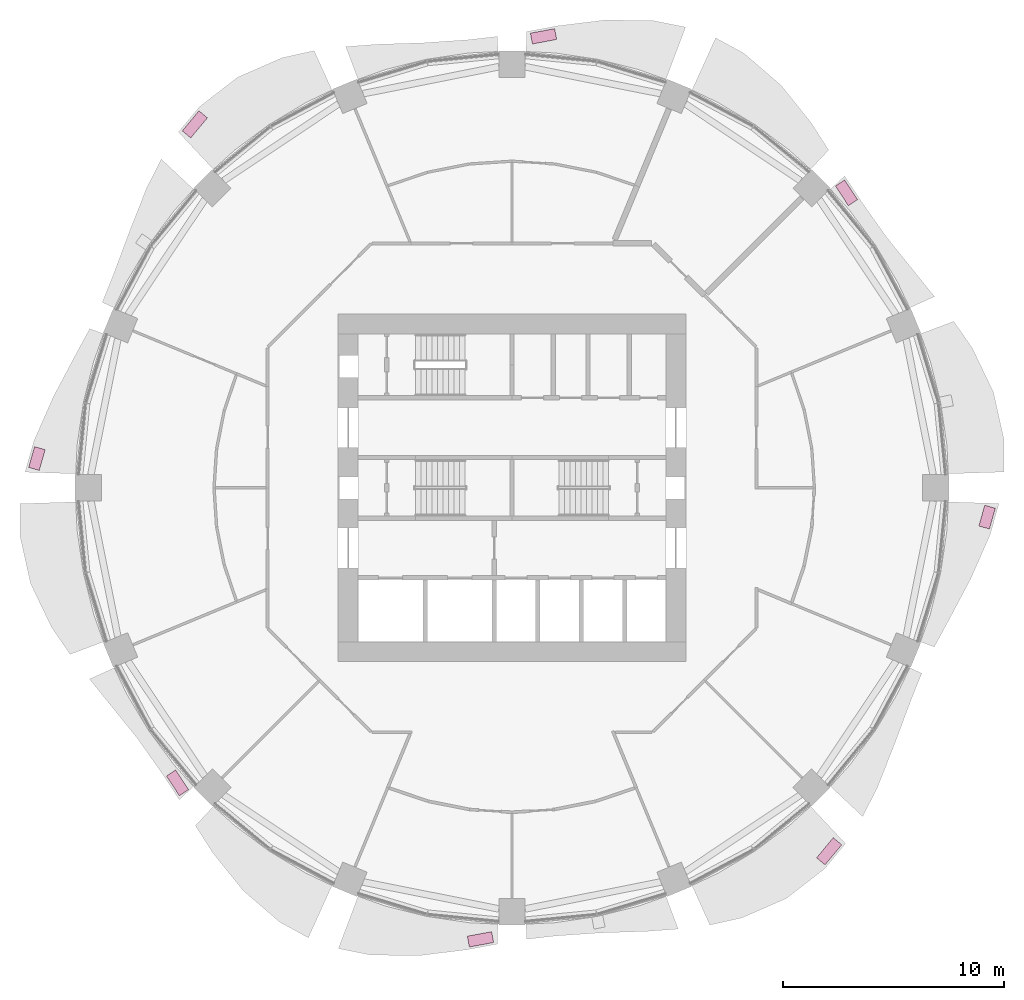
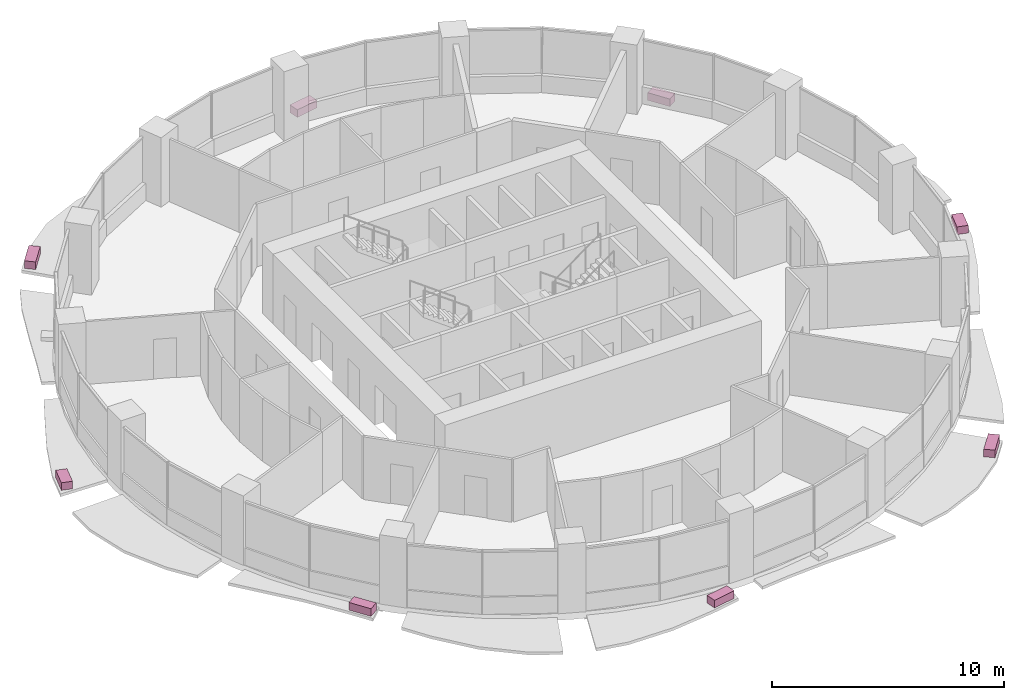
# One storey, part 15 of 15: 8 furniture elements.
"""IFC4 building model written with IfcOpenShell, lengths in metres."""

from ifc_helpers import new_model, si_unit, direction, frame, origin, origin_2d, place, context, subcontext, project, spatial, rectangle, extrude, material, type_object, element, save


model = new_model("IFC4")

# Units and contexts
model_context = context("Model", 3, precision=1e-05, world=origin(), true_north=direction((0.0, 1.0)))
body_context = subcontext(model_context, "Body", "Model", "MODEL_VIEW")
ifc_project = project(units=[si_unit("LENGTHUNIT", "METRE"), si_unit("AREAUNIT", "SQUARE_METRE"), si_unit("VOLUMEUNIT", "CUBIC_METRE"), si_unit("PLANEANGLEUNIT", "RADIAN"), si_unit("MASSUNIT", "GRAM", prefix="KILO")], contexts=[model_context])

# Site, building, storey
site_placement = place(None, origin())
site = spatial("IfcSite", under=ifc_project, at=site_placement, CompositionType="ELEMENT")
building_placement = place(site_placement, origin())
building = spatial("IfcBuilding", under=site, at=building_placement, Name="Polderwave Tower", CompositionType="ELEMENT")
storey_placement = place(building_placement, frame((0.0, 0.0, 29.85009765625)))
storey = spatial("IfcBuildingStorey", under=building, at=storey_placement, Name="L07", CompositionType="ELEMENT", Elevation=29.85009765625)

# Furniture
ifc_material = material(Name="Terracotta", Category="masonry")
furniture_type = type_object("IfcFurnitureType", Name="Terracotta planting trough", AssemblyPlace="NOTDEFINED", PredefinedType="USERDEFINED", material=ifc_material)
furniture_1_placement = place(storey_placement, frame((15.155517578125, 13.36669921875, -0.199951171875), z_axis=(0.0, 0.0, 1.0), x_axis=(-0.547666909764, 0.836696453889, 0.0)))
element("IfcFurniture", 1, at=furniture_1_placement, inside=storey, type_object=furniture_type, Name="Planting trough L07 2", ObjectType="PLANTER", PredefinedType="USERDEFINED", context=body_context, shape_type="SweptSolid", body=[
    extrude(rectangle(XDim=1.069091796875, YDim=0.5, at=origin_2d()), origin(), (0.0, 0.0, 1.0), 0.39990234375),
])
furniture_2_placement = place(storey_placement, frame((1.4287109375, 20.4580078125, -0.199951171875), z_axis=(0.0, 0.0, 1.0), x_axis=(-0.982970326431, -0.183764352791, 0.0)))
element("IfcFurniture", 2, at=furniture_2_placement, inside=storey, type_object=furniture_type, Name="Planting trough L07 4", ObjectType="PLANTER", PredefinedType="USERDEFINED", context=body_context, shape_type="SweptSolid", body=[
    extrude(rectangle(XDim=1.118896484375, YDim=0.5, at=origin_2d()), origin(), (0.0, 0.0, 1.0), 0.39990234375),
])
furniture_3_placement = place(storey_placement, frame((-14.3701171875, 16.467529296875, -0.199951171875), z_axis=(0.0, 0.0, 1.0), x_axis=(-0.63820902129, -0.769863134034, 0.0)))
element("IfcFurniture", 3, at=furniture_3_placement, inside=storey, type_object=furniture_type, Name="Planting trough L07 6", ObjectType="PLANTER", PredefinedType="USERDEFINED", context=body_context, shape_type="SweptSolid", body=[
    extrude(rectangle(XDim=1.182861328125, YDim=0.5, at=origin_2d()), origin(), (0.0, 0.0, 1.0), 0.39990234375),
])
furniture_4_placement = place(storey_placement, frame((-21.526123046875, 1.327392578125, -0.199951171875), z_axis=(0.0, 0.0, 1.0), x_axis=(-0.272419633322, -0.962178540283, 0.0)))
element("IfcFurniture", 4, at=furniture_4_placement, inside=storey, type_object=furniture_type, Name="Planting trough L07 8", ObjectType="PLANTER", PredefinedType="USERDEFINED", context=body_context, shape_type="SweptSolid", body=[
    extrude(rectangle(XDim=0.9775390625, YDim=0.5, at=origin_2d()), origin(), (0.0, 0.0, 1.0), 0.39990234375),
])
furniture_5_placement = place(storey_placement, frame((-15.155517578125, -13.36669921875, -0.199951171875), z_axis=(0.0, 0.0, 1.0), x_axis=(0.547666909764, -0.836696453889, 0.0)))
element("IfcFurniture", 5, at=furniture_5_placement, inside=storey, type_object=furniture_type, Name="Planting trough L07 10", ObjectType="PLANTER", PredefinedType="USERDEFINED", context=body_context, shape_type="SweptSolid", body=[
    extrude(rectangle(XDim=1.069091796875, YDim=0.5, at=origin_2d()), origin(), (0.0, 0.0, 1.0), 0.39990234375),
])
furniture_6_placement = place(storey_placement, frame((-1.4287109375, -20.4580078125, -0.199951171875), z_axis=(0.0, 0.0, 1.0), x_axis=(0.982970326431, 0.183764352791, 0.0)))
element("IfcFurniture", 6, at=furniture_6_placement, inside=storey, type_object=furniture_type, Name="Planting trough L07 12", ObjectType="PLANTER", PredefinedType="USERDEFINED", context=body_context, shape_type="SweptSolid", body=[
    extrude(rectangle(XDim=1.118896484375, YDim=0.5, at=origin_2d()), origin(), (0.0, 0.0, 1.0), 0.39990234375),
])
furniture_7_placement = place(storey_placement, frame((14.3701171875, -16.467529296875, -0.199951171875), z_axis=(0.0, 0.0, 1.0), x_axis=(0.63820902129, 0.769863134034, 0.0)))
element("IfcFurniture", 7, at=furniture_7_placement, inside=storey, type_object=furniture_type, Name="Planting trough L07 14", ObjectType="PLANTER", PredefinedType="USERDEFINED", context=body_context, shape_type="SweptSolid", body=[
    extrude(rectangle(XDim=1.182861328125, YDim=0.5, at=origin_2d()), origin(), (0.0, 0.0, 1.0), 0.39990234375),
])
furniture_8_placement = place(storey_placement, frame((21.526123046875, -1.327392578125, -0.199951171875), z_axis=(0.0, 0.0, 1.0), x_axis=(0.272419633322, 0.962178540283, 0.0)))
element("IfcFurniture", 8, at=furniture_8_placement, inside=storey, type_object=furniture_type, Name="Planting trough L07 16", ObjectType="PLANTER", PredefinedType="USERDEFINED", context=body_context, shape_type="SweptSolid", body=[
    extrude(rectangle(XDim=0.9775390625, YDim=0.5, at=origin_2d()), origin(), (0.0, 0.0, 1.0), 0.39990234375),
])

save(model, "model.ifc")
